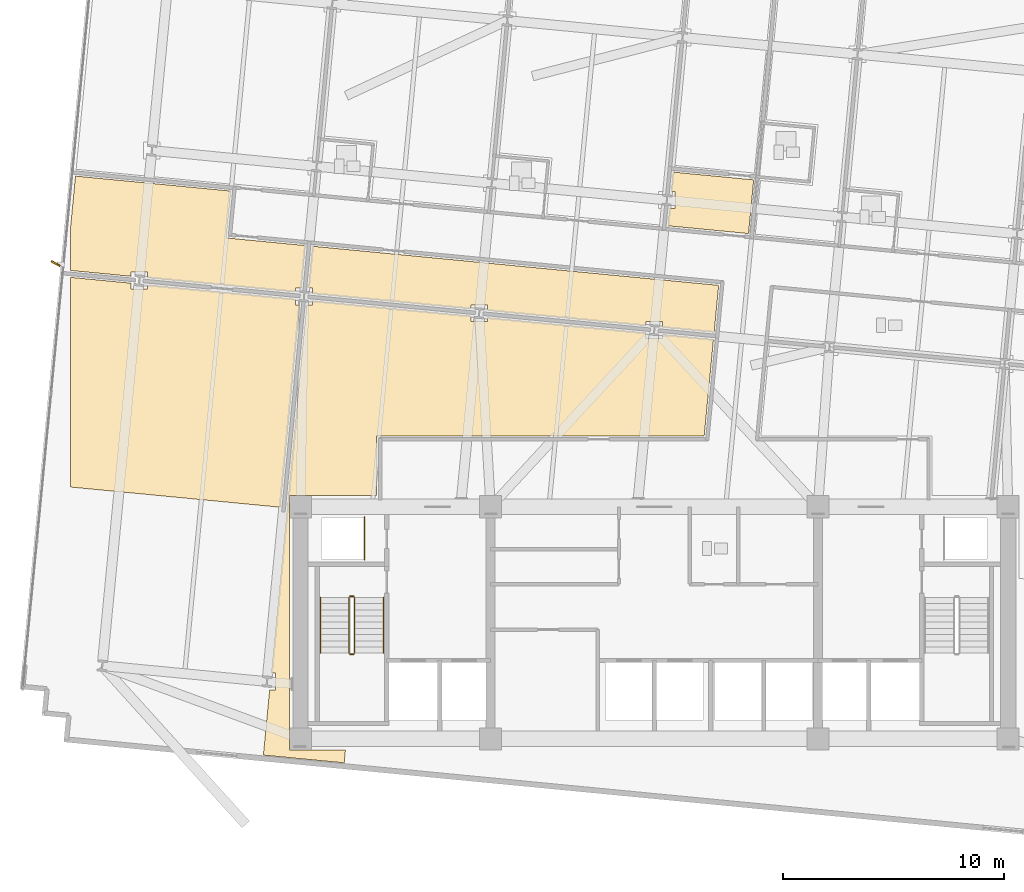
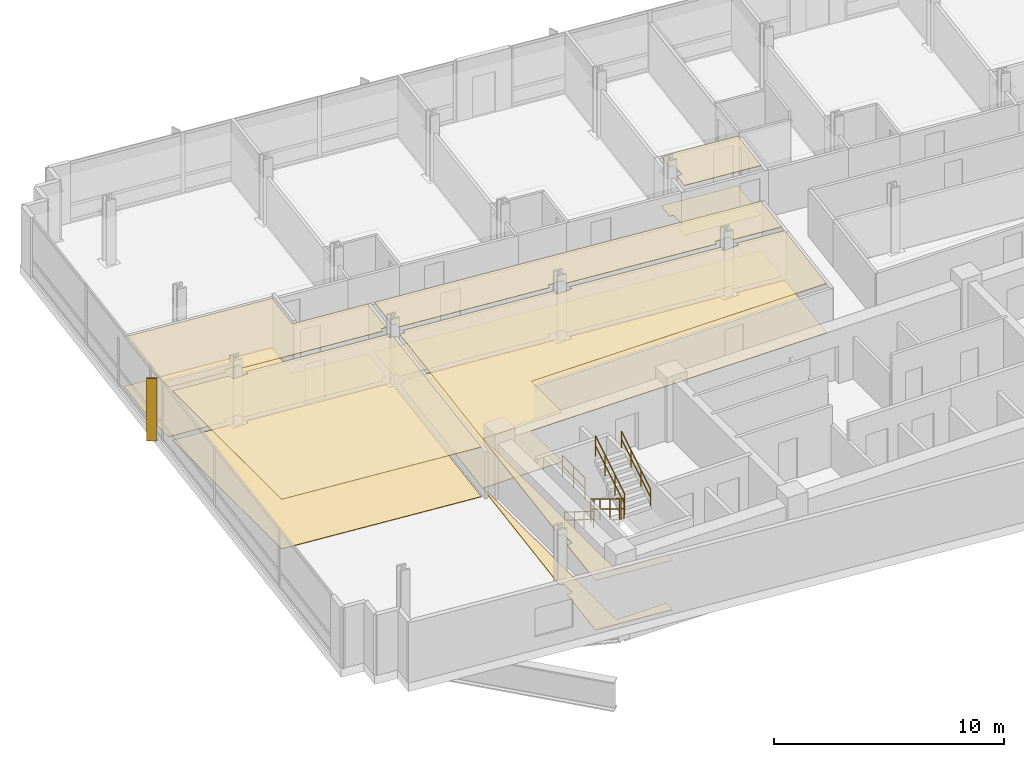
# One storey, part 15 of 18: 10 coverings, 7 railings, 1 shading device.
"""IFC4 building model written with IfcOpenShell, lengths in metres."""

from ifc_helpers import new_model, si_unit, direction, frame, origin, origin_2d, place, context, subcontext, project, spatial, polyline, rectangle, circle, outline, extrude, material, layer, layer_set, type_object, element, save


model = new_model("IFC4")

# Units and contexts
model_context = context("Model", 3, precision=1e-05, world=origin(), true_north=direction((0.0, 1.0)))
body_context = subcontext(model_context, "Body", "Model", "MODEL_VIEW")
ifc_project = project(units=[si_unit("LENGTHUNIT", "METRE"), si_unit("AREAUNIT", "SQUARE_METRE"), si_unit("VOLUMEUNIT", "CUBIC_METRE"), si_unit("PLANEANGLEUNIT", "RADIAN"), si_unit("MASSUNIT", "GRAM", prefix="KILO")], contexts=[model_context])

# Site, building, storey
site_placement = place(None, origin())
site = spatial("IfcSite", under=ifc_project, at=site_placement, CompositionType="ELEMENT")
building_placement = place(site_placement, origin())
building = spatial("IfcBuilding", under=site, at=building_placement, Name="Solmavex Isthmus Hotel", CompositionType="ELEMENT")
storey_placement = place(building_placement, frame((0.0, 0.0, 135.89990234375)))
storey = spatial("IfcBuildingStorey", under=building, at=storey_placement, Name="L36", CompositionType="ELEMENT", Elevation=135.89990234375)

# Coverings
ifc_material_1 = material(Name="Gypsum plasterboard lining", Category="gypsum")
ifc_layer_1 = layer(ifc_material_1, 0.030029296875)
ifc_layer_set_1 = layer_set([ifc_layer_1], Name="Gypsum plasterboard lining")
covering_type_1 = type_object("IfcCoveringType", Name="COV-CEIL-GYP", PredefinedType="CEILING", material=ifc_layer_set_1)
covering_1_placement = place(storey_placement, frame((0.0, 0.0, 2.6201171875)))
element("IfcCovering", 1, at=covering_1_placement, inside=storey, type_object=covering_type_1, Name="Suspended Acoustic Ceiling L36-SL04-FY", PredefinedType="CEILING", context=body_context, shape_type="SweptSolid", body=[
    extrude(outline(polyline([(0.759765625, 11.751220703125), (0.947509765625, 11.751220703125), (0.947509765625, 10.9912109375), (0.686767578125, 10.9912109375), (0.611328125, 10.20849609375), (4.262451171875, 9.85693359375), (4.496337890625, 12.285888671875), (0.84521484375, 12.637451171875), (0.759765625, 11.751220703125)])), origin(), (0.0, 0.0, 1.0), 0.030029296875),
])
covering_2_placement = place(storey_placement, frame((0.0, 0.0, 2.6201171875)))
element("IfcCovering", 2, at=covering_2_placement, inside=storey, type_object=covering_type_1, Name="Suspended Acoustic Ceiling L36-FL08", PredefinedType="CEILING", context=body_context, shape_type="SweptSolid", body=[
    extrude(outline(polyline([(-16.217529296875, 7.207763671875), (-16.217529296875, 7.3955078125), (-15.95654296875, 7.3955078125), (-15.771728515625, 9.314697265625), (-19.355224609375, 9.65966796875), (-19.151123046875, 11.780029296875), (-26.176513671875, 12.45654296875), (-26.39990234375, 10.135986328125), (-26.39990234375, 8.188232421875), (-23.6708984375, 7.925537109375), (-23.6708984375, 8.113037109375), (-22.910888671875, 8.113037109375), (-22.910888671875, 7.852294921875), (-16.217529296875, 7.207763671875)])), origin(), (0.0, 0.0, 1.0), 0.030029296875),
])
covering_3_placement = place(storey_placement, frame((0.0, 0.0, 2.6201171875)))
element("IfcCovering", 3, at=covering_3_placement, inside=storey, type_object=covering_type_1, Name="Suspended Acoustic Ceiling L36-FL10", PredefinedType="CEILING", context=body_context, shape_type="SweptSolid", body=[
    extrude(outline(polyline([(-0.378662109375, 5.6826171875), (-0.378662109375, 5.870361328125), (0.38134765625, 5.870361328125), (0.38134765625, 5.609375), (2.706787109375, 5.385498046875), (2.911865234375, 7.515625), (-15.463134765625, 9.284912109375), (-15.645263671875, 7.3955078125), (-15.45751953125, 7.3955078125), (-15.45751953125, 7.134521484375), (-8.298095703125, 6.445068359375), (-8.298095703125, 6.6328125), (-7.5380859375, 6.6328125), (-7.5380859375, 6.3720703125), (-0.378662109375, 5.6826171875)])), origin(), (0.0, 0.0, 1.0), 0.030029296875),
])
covering_4_placement = place(storey_placement, frame((0.0, 0.0, 2.6201171875)))
element("IfcCovering", 4, at=covering_4_placement, inside=storey, type_object=covering_type_1, Name="Suspended Acoustic Ceiling L36-FL13", PredefinedType="CEILING", context=body_context, shape_type="SweptSolid", body=[
    extrude(outline(polyline([(-22.910888671875, 7.540771484375), (-22.910888671875, 7.35302734375), (-23.6708984375, 7.35302734375), (-23.6708984375, 7.614013671875), (-26.39990234375, 7.876708984375), (-26.39990234375, -1.60693359375), (-16.911376953125, -2.5205078125), (-16.02978515625, 6.635498046875), (-16.217529296875, 6.635498046875), (-16.217529296875, 6.896240234375), (-22.910888671875, 7.540771484375)])), origin(), (0.0, 0.0, 1.0), 0.030029296875),
])
covering_5_placement = place(storey_placement, frame((0.0, 0.0, 2.6201171875)))
element("IfcCovering", 5, at=covering_5_placement, inside=storey, type_object=covering_type_1, Name="Suspended Acoustic Ceiling L36-FL14", PredefinedType="CEILING", context=body_context, shape_type="SweptSolid", body=[
    extrude(outline(polyline([(-17.322509765625, -10.02392578125), (-17.134765625, -10.02392578125), (-17.134765625, -10.783935546875), (-17.395751953125, -10.783935546875), (-17.67919921875, -13.728515625), (-14.024169921875, -14.08056640625), (-13.96875, -13.5048828125), (-16.5048828125, -13.5048828125), (-16.5048828125, -1.9951171875), (-12.554931640625, -1.9951171875), (-12.554931640625, 0.705078125), (2.256103515625, 0.705078125), (2.677001953125, 5.076904296875), (0.38134765625, 5.298095703125), (0.38134765625, 5.1103515625), (-0.378662109375, 5.1103515625), (-0.378662109375, 5.37109375), (-7.5380859375, 6.060546875), (-7.5380859375, 5.872802734375), (-8.298095703125, 5.872802734375), (-8.298095703125, 6.1337890625), (-15.45751953125, 6.822998046875), (-15.45751953125, 6.635498046875), (-15.71826171875, 6.635498046875), (-17.322509765625, -10.02392578125)])), origin(), (0.0, 0.0, 1.0), 0.030029296875),
])
ifc_material_2 = material(Name="Travertine natural stone", Category="masonry")
ifc_layer_2 = layer(ifc_material_2, 0.02490234375)
ifc_layer_set_2 = layer_set([ifc_layer_2], Name="Travertine natural stone")
covering_type_2 = type_object("IfcCoveringType", Name="COV-FLOR-STN", PredefinedType="FLOORING", material=ifc_layer_set_2)
covering_6_placement = place(storey_placement, origin())
element("IfcCovering", 6, at=covering_6_placement, inside=storey, type_object=covering_type_2, Name="Stone and Timber Floor Finish L36-SL04-FY", PredefinedType="FLOORING", context=body_context, shape_type="SweptSolid", body=[
    extrude(outline(polyline([(0.759765625, 11.751220703125), (0.947509765625, 11.751220703125), (0.947509765625, 10.9912109375), (0.686767578125, 10.9912109375), (0.611328125, 10.20849609375), (4.262451171875, 9.85693359375), (4.496337890625, 12.285888671875), (0.84521484375, 12.637451171875), (0.759765625, 11.751220703125)])), origin(), (0.0, 0.0, 1.0), 0.025146484375),
])
covering_7_placement = place(storey_placement, origin())
element("IfcCovering", 7, at=covering_7_placement, inside=storey, type_object=covering_type_2, Name="Stone and Timber Floor Finish L36-FL08", PredefinedType="FLOORING", context=body_context, shape_type="SweptSolid", body=[
    extrude(outline(polyline([(-16.217529296875, 7.207763671875), (-16.217529296875, 7.3955078125), (-15.95654296875, 7.3955078125), (-15.771728515625, 9.314697265625), (-19.355224609375, 9.65966796875), (-19.151123046875, 11.780029296875), (-26.176513671875, 12.45654296875), (-26.39990234375, 10.135986328125), (-26.39990234375, 8.188232421875), (-23.6708984375, 7.925537109375), (-23.6708984375, 8.113037109375), (-22.910888671875, 8.113037109375), (-22.910888671875, 7.852294921875), (-16.217529296875, 7.207763671875)])), origin(), (0.0, 0.0, 1.0), 0.025146484375),
])
covering_8_placement = place(storey_placement, origin())
element("IfcCovering", 8, at=covering_8_placement, inside=storey, type_object=covering_type_2, Name="Stone and Timber Floor Finish L36-FL10", PredefinedType="FLOORING", context=body_context, shape_type="SweptSolid", body=[
    extrude(outline(polyline([(-0.378662109375, 5.6826171875), (-0.378662109375, 5.870361328125), (0.38134765625, 5.870361328125), (0.38134765625, 5.609375), (2.706787109375, 5.385498046875), (2.911865234375, 7.515625), (-15.463134765625, 9.284912109375), (-15.645263671875, 7.3955078125), (-15.45751953125, 7.3955078125), (-15.45751953125, 7.134521484375), (-8.298095703125, 6.445068359375), (-8.298095703125, 6.6328125), (-7.5380859375, 6.6328125), (-7.5380859375, 6.3720703125), (-0.378662109375, 5.6826171875)])), origin(), (0.0, 0.0, 1.0), 0.025146484375),
])
covering_9_placement = place(storey_placement, origin())
element("IfcCovering", 9, at=covering_9_placement, inside=storey, type_object=covering_type_2, Name="Stone and Timber Floor Finish L36-FL13", PredefinedType="FLOORING", context=body_context, shape_type="SweptSolid", body=[
    extrude(outline(polyline([(-22.910888671875, 7.540771484375), (-22.910888671875, 7.35302734375), (-23.6708984375, 7.35302734375), (-23.6708984375, 7.614013671875), (-26.39990234375, 7.876708984375), (-26.39990234375, -1.60693359375), (-16.911376953125, -2.5205078125), (-16.02978515625, 6.635498046875), (-16.217529296875, 6.635498046875), (-16.217529296875, 6.896240234375), (-22.910888671875, 7.540771484375)])), origin(), (0.0, 0.0, 1.0), 0.025146484375),
])
covering_10_placement = place(storey_placement, origin())
element("IfcCovering", 10, at=covering_10_placement, inside=storey, type_object=covering_type_2, Name="Stone and Timber Floor Finish L36-FL14", PredefinedType="FLOORING", context=body_context, shape_type="SweptSolid", body=[
    extrude(outline(polyline([(-17.322509765625, -10.02392578125), (-17.134765625, -10.02392578125), (-17.134765625, -10.783935546875), (-17.395751953125, -10.783935546875), (-17.67919921875, -13.728515625), (-14.024169921875, -14.08056640625), (-13.96875, -13.5048828125), (-16.5048828125, -13.5048828125), (-16.5048828125, -1.9951171875), (-12.554931640625, -1.9951171875), (-12.554931640625, 0.705078125), (2.256103515625, 0.705078125), (2.677001953125, 5.076904296875), (0.38134765625, 5.298095703125), (0.38134765625, 5.1103515625), (-0.378662109375, 5.1103515625), (-0.378662109375, 5.37109375), (-7.5380859375, 6.060546875), (-7.5380859375, 5.872802734375), (-8.298095703125, 5.872802734375), (-8.298095703125, 6.1337890625), (-15.45751953125, 6.822998046875), (-15.45751953125, 6.635498046875), (-15.71826171875, 6.635498046875), (-17.322509765625, -10.02392578125)])), origin(), (0.0, 0.0, 1.0), 0.025146484375),
])

# Railings
ifc_material_3 = material(Name="Clear low-E laminated glass", Category="glass")
ifc_layer_3 = layer(ifc_material_3, 0.080078125)
ifc_layer_set_3 = layer_set([ifc_layer_3], Name="Clear low-E laminated glass")
railing_type_1 = type_object("IfcRailingType", Name="RAIL-ATRIUM-1120", PredefinedType="BALUSTRADE", material=ifc_layer_set_3)
railing_1_placement = place(storey_placement, frame((-13.10009765625, -4.89990234375, 0.0)))
element("IfcRailing", 11, at=railing_1_placement, inside=storey, type_object=railing_type_1, Name="Guardrail Balustrade L36-RSW-01", PredefinedType="BALUSTRADE", context=body_context, shape_type="SweptSolid", body=[
    extrude(circle(Radius=0.02392578125, at=origin_2d()), frame((0.0, 0.0, 1.1259765625), z_axis=(0.0, 1.0, 0.0), x_axis=(-1.0, 0.0, 0.0)), (0.0, 0.0, 1.0), 1.949951171875),
    extrude(circle(Radius=0.02392578125, at=origin_2d()), frame((0.0, 0.0, 0.574951171875), z_axis=(0.0, 1.0, 0.0), x_axis=(-1.0, 0.0, 0.0)), (0.0, 0.0, 1.0), 1.949951171875),
    extrude(circle(Radius=0.02099609375, at=origin_2d()), origin(), (0.0, 0.0, 1.0), 1.101806640625),
    extrude(circle(Radius=0.02099609375, at=origin_2d()), frame((0.0, 0.97509765625, 0.0)), (0.0, 0.0, 1.0), 1.101806640625),
    extrude(circle(Radius=0.02099609375, at=origin_2d()), frame((0.0, 1.949951171875, 0.0)), (0.0, 0.0, 1.0), 1.101806640625),
])
ifc_material_4 = material(Name="Stainless steel 316", Category="steel")
ifc_layer_4 = layer(ifc_material_4, 0.06005859375)
ifc_layer_set_4 = layer_set([ifc_layer_4], Name="Stainless steel 316")
railing_type_2 = type_object("IfcRailingType", Name="RAIL-STAIR-GD", PredefinedType="GUARDRAIL", material=ifc_layer_set_4)
railing_2_placement = place(storey_placement, frame((-13.800048828125, -6.60009765625, 0.172607421875)))
element("IfcRailing", 12, at=railing_2_placement, inside=storey, type_object=railing_type_2, Name="L36 ST-1 stair guard 1", PredefinedType="GUARDRAIL", context=body_context, shape_type="SweptSolid", body=[
    extrude(circle(Radius=0.02392578125, at=origin_2d()), frame((0.0, 0.0, 1.09619140625), z_axis=(0.0, -0.851400495292, 0.524516154772), x_axis=(1.0, 0.0, 0.0)), (0.0, 0.0, 1.0), 2.9599609375),
    extrude(circle(Radius=0.02392578125, at=origin_2d()), frame((0.0, 0.0, 0.56005859375), z_axis=(0.0, -0.851400495292, 0.524516154772), x_axis=(1.0, 0.0, 0.0)), (0.0, 0.0, 1.0), 2.9599609375),
    extrude(circle(Radius=0.02099609375, at=origin_2d()), origin(), (0.0, 0.0, 1.0), 1.072021484375),
    extrude(circle(Radius=0.02099609375, at=origin_2d()), frame((0.0, -0.840087890625, 0.517578125)), (0.0, 0.0, 1.0), 1.072021484375),
    extrude(circle(Radius=0.02099609375, at=origin_2d()), frame((0.0, -1.679931640625, 1.034912109375)), (0.0, 0.0, 1.0), 1.072021484375),
    extrude(circle(Radius=0.02099609375, at=origin_2d()), frame((0.0, -2.52001953125, 1.552490234375)), (0.0, 0.0, 1.0), 1.072021484375),
])
railing_3_placement = place(storey_placement, frame((-13.75, -9.169921875, 1.72509765625)))
element("IfcRailing", 13, at=railing_3_placement, inside=storey, type_object=railing_type_2, Name="L36 ST-1 stair guard 2", PredefinedType="GUARDRAIL", context=body_context, shape_type="SweptSolid", body=[
    extrude(circle(Radius=0.02392578125, at=origin_2d()), frame((0.0, 0.0, 1.09619140625), z_axis=(1.0, 0.0, 0.0), x_axis=(0.0, 1.0, 0.0)), (0.0, 0.0, 1.0), 0.14990234375),
    extrude(circle(Radius=0.02392578125, at=origin_2d()), frame((0.0, 0.0, 0.56005859375), z_axis=(1.0, 0.0, 0.0), x_axis=(0.0, 1.0, 0.0)), (0.0, 0.0, 1.0), 0.14990234375),
    extrude(circle(Radius=0.02099609375, at=origin_2d()), origin(), (0.0, 0.0, 1.0), 1.072021484375),
    extrude(circle(Radius=0.02099609375, at=origin_2d()), frame((0.14990234375, 0.0, 0.0)), (0.0, 0.0, 1.0), 1.072021484375),
])
railing_4_placement = place(storey_placement, frame((-13.550048828125, -9.1201171875, 1.897705078125)))
element("IfcRailing", 14, at=railing_4_placement, inside=storey, type_object=railing_type_2, Name="L36 ST-1 stair guard 3", PredefinedType="GUARDRAIL", context=body_context, shape_type="SweptSolid", body=[
    extrude(circle(Radius=0.02392578125, at=origin_2d()), frame((0.0, 0.0, 1.09619140625), z_axis=(0.0, 0.851400495292, 0.524516154772), x_axis=(-1.0, 0.0, 0.0)), (0.0, 0.0, 1.0), 2.9599609375),
    extrude(circle(Radius=0.02392578125, at=origin_2d()), frame((0.0, 0.0, 0.56005859375), z_axis=(0.0, 0.851400495292, 0.524516154772), x_axis=(-1.0, 0.0, 0.0)), (0.0, 0.0, 1.0), 2.9599609375),
    extrude(circle(Radius=0.02099609375, at=origin_2d()), origin(), (0.0, 0.0, 1.0), 1.072021484375),
    extrude(circle(Radius=0.02099609375, at=origin_2d()), frame((0.0, 0.840087890625, 0.517578125)), (0.0, 0.0, 1.0), 1.072021484375),
    extrude(circle(Radius=0.02099609375, at=origin_2d()), frame((0.0, 1.679931640625, 1.034912109375)), (0.0, 0.0, 1.0), 1.072021484375),
    extrude(circle(Radius=0.02099609375, at=origin_2d()), frame((0.0, 2.52001953125, 1.552490234375)), (0.0, 0.0, 1.0), 1.072021484375),
])
railing_5_placement = place(storey_placement, frame((-13.75, -6.550048828125, 0.0)))
element("IfcRailing", 15, at=railing_5_placement, inside=storey, type_object=railing_type_2, Name="L36 ST-1 stair guard 4", PredefinedType="GUARDRAIL", context=body_context, shape_type="SweptSolid", body=[
    extrude(circle(Radius=0.02392578125, at=origin_2d()), frame((0.0, 0.0, 1.09619140625), z_axis=(1.0, 0.0, 0.0), x_axis=(0.0, 1.0, 0.0)), (0.0, 0.0, 1.0), 0.14990234375),
    extrude(circle(Radius=0.02392578125, at=origin_2d()), frame((0.0, 0.0, 0.56005859375), z_axis=(1.0, 0.0, 0.0), x_axis=(0.0, 1.0, 0.0)), (0.0, 0.0, 1.0), 0.14990234375),
    extrude(circle(Radius=0.02099609375, at=origin_2d()), origin(), (0.0, 0.0, 1.0), 1.072021484375),
    extrude(circle(Radius=0.02099609375, at=origin_2d()), frame((0.14990234375, 0.0, 0.0)), (0.0, 0.0, 1.0), 1.072021484375),
])
ifc_layer_5 = layer(ifc_material_4, 0.050048828125)
ifc_layer_set_5 = layer_set([ifc_layer_5], Name="Stainless steel 316")
railing_type_3 = type_object("IfcRailingType", Name="RAIL-STAIR-HR", PredefinedType="HANDRAIL", material=ifc_layer_set_5)
railing_6_placement = place(storey_placement, frame((-15.10009765625, -6.60009765625, 0.172607421875)))
element("IfcRailing", 16, at=railing_6_placement, inside=storey, type_object=railing_type_3, Name="L36 ST-1 stair handrail 1", PredefinedType="HANDRAIL", context=body_context, shape_type="SweptSolid", body=[
    extrude(circle(Radius=0.02392578125, at=origin_2d()), frame((0.0, 0.0, 0.8759765625), z_axis=(0.0, -0.851400495292, 0.524516154772), x_axis=(1.0, 0.0, 0.0)), (0.0, 0.0, 1.0), 2.9599609375),
    extrude(circle(Radius=0.02392578125, at=origin_2d()), frame((0.0, 0.0, 0.449951171875), z_axis=(0.0, -0.851400495292, 0.524516154772), x_axis=(1.0, 0.0, 0.0)), (0.0, 0.0, 1.0), 2.9599609375),
    extrude(circle(Radius=0.02099609375, at=origin_2d()), origin(), (0.0, 0.0, 1.0), 0.851806640625),
    extrude(circle(Radius=0.02099609375, at=origin_2d()), frame((0.0, -0.840087890625, 0.517578125)), (0.0, 0.0, 1.0), 0.851806640625),
    extrude(circle(Radius=0.02099609375, at=origin_2d()), frame((0.0, -1.679931640625, 1.034912109375)), (0.0, 0.0, 1.0), 0.851806640625),
    extrude(circle(Radius=0.02099609375, at=origin_2d()), frame((0.0, -2.52001953125, 1.552490234375)), (0.0, 0.0, 1.0), 0.851806640625),
])
railing_7_placement = place(storey_placement, frame((-12.25, -9.1201171875, 1.897705078125)))
element("IfcRailing", 17, at=railing_7_placement, inside=storey, type_object=railing_type_3, Name="L36 ST-1 stair handrail 2", PredefinedType="HANDRAIL", context=body_context, shape_type="SweptSolid", body=[
    extrude(circle(Radius=0.02392578125, at=origin_2d()), frame((0.0, 0.0, 0.8759765625), z_axis=(0.0, 0.851400495292, 0.524516154772), x_axis=(-1.0, 0.0, 0.0)), (0.0, 0.0, 1.0), 2.9599609375),
    extrude(circle(Radius=0.02392578125, at=origin_2d()), frame((0.0, 0.0, 0.449951171875), z_axis=(0.0, 0.851400495292, 0.524516154772), x_axis=(-1.0, 0.0, 0.0)), (0.0, 0.0, 1.0), 2.9599609375),
    extrude(circle(Radius=0.02099609375, at=origin_2d()), origin(), (0.0, 0.0, 1.0), 0.851806640625),
    extrude(circle(Radius=0.02099609375, at=origin_2d()), frame((0.0, 0.840087890625, 0.517578125)), (0.0, 0.0, 1.0), 0.851806640625),
    extrude(circle(Radius=0.02099609375, at=origin_2d()), frame((0.0, 1.679931640625, 1.034912109375)), (0.0, 0.0, 1.0), 0.851806640625),
    extrude(circle(Radius=0.02099609375, at=origin_2d()), frame((0.0, 2.52001953125, 1.552490234375)), (0.0, 0.0, 1.0), 0.851806640625),
])

# Shading device
ifc_material_5 = material(Name="Aluminium alloy 6063-T6", Category="aluminium")
shading_device_type = type_object("IfcShadingDeviceType", Name="SHD-FIN-BRONZE", PredefinedType="USERDEFINED", material=ifc_material_5)
shading_device_placement = place(storey_placement, frame((-27.074951171875, 8.499267578125, -0.139892578125), z_axis=(0.0, 0.0, 1.0), x_axis=(-0.87035569594, 0.492423560103, 0.0)))
element("IfcShadingDevice", 18, at=shading_device_placement, inside=storey, type_object=shading_device_type, Name="Anodised Aluminium Solar Fin L36-W1", ObjectType="SOLAR_FIN", PredefinedType="USERDEFINED", context=body_context, shape_type="SweptSolid", body=[
    extrude(rectangle(XDim=0.449951171875, YDim=0.080078125, at=origin_2d()), origin(), (0.0, 0.0, 1.0), 3.330078125),
])

save(model, "model.ifc")
